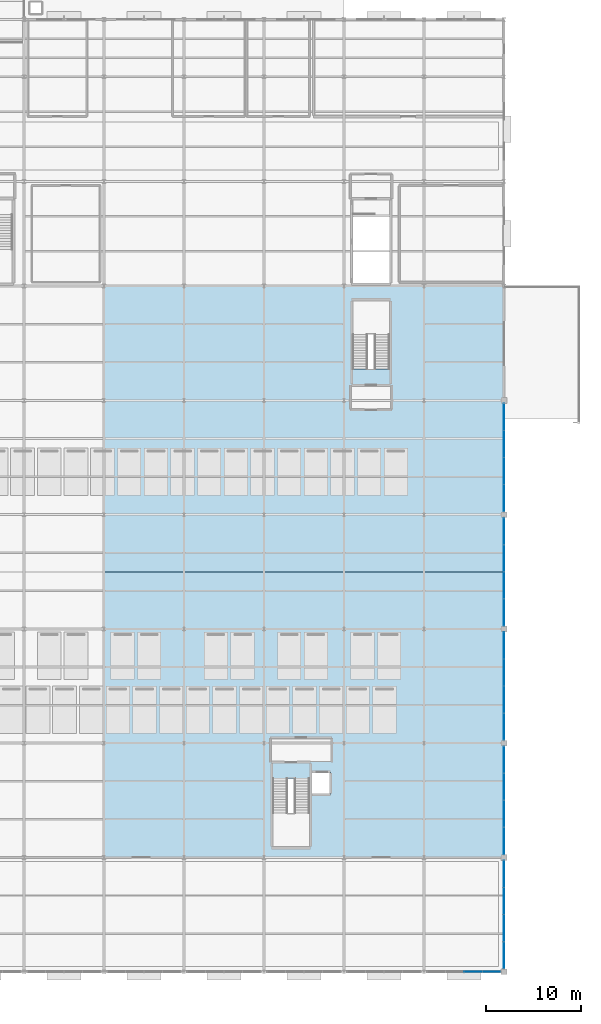
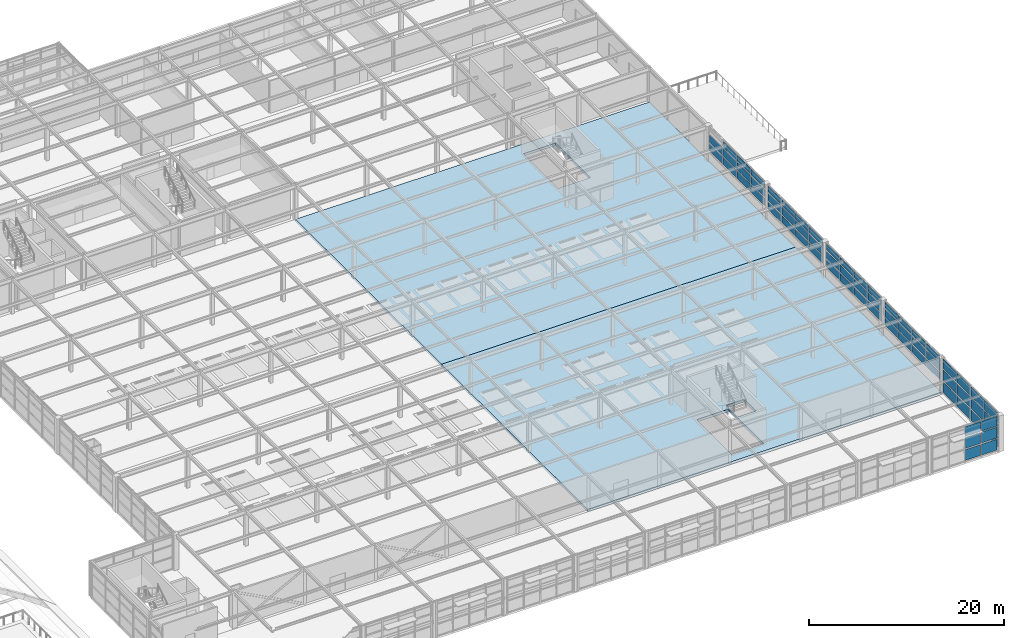
# One storey, part 53 of 82: 65 plates, 2 slabs, 6 elements without a shape of their own.
"""IFC4 building model written with IfcOpenShell, lengths in metres."""

import ifcopenshell
import ifcopenshell.guid

model = None  # the IFC model being written
_history = None  # IfcOwnerHistory: only IFC2X3 demands one
_inside = {}  # id of a spatial element -> (the spatial element, [elements in it])
_under = {}  # id of a project, library or spatial element -> (it, [spatial elements below it])
_declared = {}  # id of a project -> (the project, [libraries it declares])
_typed = {}  # id of a type object -> (the type object, [elements of that type])
_made_of = {}  # id of a material, layer set ... -> (it, [elements and type objects made of it])


def new_model(schema):
    """Start an empty IFC model of exactly this schema.

    Asked for "IFC4X3", IfcOpenShell would pick the latest addendum, in which some entities
    have other attributes; the version numbers below select the first issue.
    IFC2X3 requires an IfcOwnerHistory on every rooted entity: one is made here for all.
    """
    global model, _history
    if schema == "IFC4X3":
        model = ifcopenshell.file(schema_version=(4, 3, 0, 0))
    else:
        model = ifcopenshell.file(schema=schema)
    _inside.clear()
    _under.clear()
    _declared.clear()
    _typed.clear()
    _made_of.clear()
    _history = None
    if model.schema == "IFC2X3":
        org = make("IfcOrganization", Name="unknown")
        user = make(
            "IfcPersonAndOrganization",
            ThePerson=make("IfcPerson", FamilyName="unknown"),
            TheOrganization=org,
        )
        app = make(
            "IfcApplication",
            ApplicationDeveloper=org,
            Version="unknown",
            ApplicationFullName="unknown",
            ApplicationIdentifier="unknown",
        )
        _history = make(
            "IfcOwnerHistory",
            OwningUser=user,
            OwningApplication=app,
            ChangeAction="ADDED",
            CreationDate=0,
        )
    return model


def make(cls, **values):
    """One entity of the class cls with the attributes given. An attribute that is None is left unset."""
    return model.create_entity(
        cls, **{name: value for name, value in values.items() if value is not None}
    )


def rooted(cls, **values):
    """An entity with a GlobalId (a new one), such as an element, a storey or a relation."""
    return make(cls, GlobalId=ifcopenshell.guid.new(), OwnerHistory=_history, **values)


def si_unit(unit_type, name, prefix=None):
    """IfcSIUnit, for example si_unit("LENGTHUNIT", "METRE", prefix="MILLI")."""
    return make("IfcSIUnit", UnitType=unit_type, Prefix=prefix, Name=name)


def assignment(units):
    """IfcUnitAssignment: the units of a project."""
    return None if units is None else make("IfcUnitAssignment", Units=units)


def point(xyz):
    """IfcCartesianPoint."""
    return None if xyz is None else make("IfcCartesianPoint", Coordinates=xyz)


def direction(xyz):
    """IfcDirection."""
    return None if xyz is None else make("IfcDirection", DirectionRatios=xyz)


def frame(location, z_axis=None, x_axis=None):
    """IfcAxis2Placement3D, a coordinate frame: its origin and axes. An axis left out is left unset."""
    return make(
        "IfcAxis2Placement3D",
        Location=point(location),
        Axis=direction(z_axis),
        RefDirection=direction(x_axis),
    )


def frame_2d(location, x_axis=None):
    """IfcAxis2Placement2D, a coordinate frame in the plane: its origin and x axis."""
    return make(
        "IfcAxis2Placement2D", Location=point(location), RefDirection=direction(x_axis)
    )


def origin():
    """The frame at (0, 0, 0) with its axes left unset."""
    return frame((0.0, 0.0, 0.0))


def origin_2d():
    """The frame at (0, 0) in the plane with its x axis left unset."""
    return frame_2d((0.0, 0.0))


def place(relative_to, where):
    """IfcLocalPlacement: puts the frame where relative to a parent placement (None: the world)."""
    return make(
        "IfcLocalPlacement", PlacementRelTo=relative_to, RelativePlacement=where
    )


def context(
    kind, dimensions, precision=None, world=None, true_north=None, identifier=None
):
    """IfcGeometricRepresentationContext, for example the 3D "Model" context."""
    return make(
        "IfcGeometricRepresentationContext",
        ContextIdentifier=identifier,
        ContextType=kind,
        CoordinateSpaceDimension=dimensions,
        Precision=precision,
        WorldCoordinateSystem=world,
        TrueNorth=true_north,
    )


def subcontext(parent, identifier, kind, view, scale=None):
    """IfcGeometricRepresentationSubContext, for example "Body" below "Model"."""
    return make(
        "IfcGeometricRepresentationSubContext",
        ContextIdentifier=identifier,
        ContextType=kind,
        ParentContext=parent,
        TargetScale=scale,
        TargetView=view,
    )


def project(units=None, contexts=None):
    """IfcProject with its units and contexts."""
    return rooted(
        "IfcProject",
        Name="project",
        RepresentationContexts=contexts,
        UnitsInContext=assignment(units),
    )


def spatial(cls, under=None, at=None, **own):
    """A site, building, storey or space (cls), placed at a placement, below another one or the project."""
    s = rooted(cls, ObjectPlacement=at, **own)
    if under is not None:
        _under.setdefault(under.id(), (under, []))[1].append(s)
    return s


def polyline(points):
    """IfcPolyline through the points."""
    return make("IfcPolyline", Points=[point(p) for p in points])


def profile(cls, at=None, kind="AREA", **sizes):
    """A parametric profile (cls). Its sizes go by their IFC names, for example OverallWidth=200.0."""
    return make(cls, ProfileType=kind, Position=at, **sizes)


def rectangle(**sizes):
    """IfcRectangleProfileDef."""
    return profile("IfcRectangleProfileDef", **sizes)


def outline(outer, holes=None, kind="AREA"):
    """IfcArbitraryClosedProfileDef: a profile drawn as a closed curve; with holes, ...WithVoids."""
    if holes is None:
        return make("IfcArbitraryClosedProfileDef", ProfileType=kind, OuterCurve=outer)
    return make(
        "IfcArbitraryProfileDefWithVoids",
        ProfileType=kind,
        OuterCurve=outer,
        InnerCurves=holes,
    )


def extrude(swept, where, along, depth):
    """IfcExtrudedAreaSolid: the profile swept, set in the frame where, extruded along a direction by depth."""
    return make(
        "IfcExtrudedAreaSolid",
        SweptArea=swept,
        Position=where,
        ExtrudedDirection=direction(along),
        Depth=depth,
    )


def shape(context_of_items, identifier, shape_type, items):
    """IfcShapeRepresentation: the items that make up one representation, for example the "Body"."""
    return make(
        "IfcShapeRepresentation",
        ContextOfItems=context_of_items,
        RepresentationIdentifier=identifier,
        RepresentationType=shape_type,
        Items=items,
    )


def material(Name=None, Category=None):
    """IfcMaterial."""
    return make("IfcMaterial", Name=Name, Category=Category)


def layer(
    of_material, thickness, ventilated=None, Name=None, Category=None, Priority=None
):
    """IfcMaterialLayer: one layer of a wall or slab, of a material (None: an air gap)."""
    return make(
        "IfcMaterialLayer",
        Material=of_material,
        LayerThickness=thickness,
        IsVentilated=ventilated,
        Name=Name,
        Category=Category,
        Priority=Priority,
    )


def layer_set(layers, Name=None):
    """IfcMaterialLayerSet."""
    return make("IfcMaterialLayerSet", MaterialLayers=layers, LayerSetName=Name)


def made_of(thing, what):
    """Note that an element or type object is made of a material, layer set ...; save() writes the relation."""
    if what is not None:
        _made_of.setdefault(what.id(), (what, []))[1].append(thing)
    return thing


def type_object(cls, material=None, **own):
    """A type object (cls), such as IfcWallType, which elements share."""
    return made_of(rooted(cls, **own), material)


def element(
    cls,
    number,
    at=None,
    inside=None,
    cuts=None,
    type_object=None,
    material=None,
    context=None,
    identifier="Body",
    shape_type=None,
    held_by="IfcProductDefinitionShape",
    body=None,
    shapes=None,
    **own,
):
    """One element of the class cls, such as IfcWall. Its Tag is "e" and its number.

    at: its placement. inside: the storey or other place that contains it. cuts: it is an
    opening in that element (IfcRelVoidsElement). A single representation is given by context,
    identifier, shape_type and body (its items); several are given by shapes. held_by: the class
    of the entity that holds the representations. save() writes the other relations.
    """
    e = rooted(cls, Tag="e%d" % number, ObjectPlacement=at, **own)
    if body is not None:
        shapes = [shape(context, identifier, shape_type, body)]
    if shapes is not None:
        e.Representation = make(held_by, Representations=shapes)
    if inside is not None:
        _inside.setdefault(inside.id(), (inside, []))[1].append(e)
    if cuts is not None:
        rooted(
            "IfcRelVoidsElement", RelatingBuildingElement=cuts, RelatedOpeningElement=e
        )
    if type_object is not None:
        _typed.setdefault(type_object.id(), (type_object, []))[1].append(e)
    return made_of(e, material)


def aggregate(whole, parts):
    """IfcRelAggregates: a whole, such as a stair, and the parts it consists of."""
    return rooted("IfcRelAggregates", RelatingObject=whole, RelatedObjects=parts)


def save(model, path):
    """Write the relations noted so far, then the file.

    IfcRelAggregates (storeys below a building ...), IfcRelContainedInSpatialStructure (elements
    in a storey), IfcRelDefinesByType, IfcRelAssociatesMaterial and IfcRelDeclares: one each for
    every whole, place, type object, material and project.
    """
    for whole, parts in _under.values():
        aggregate(whole, parts)
    for where, things in _inside.values():
        rooted(
            "IfcRelContainedInSpatialStructure",
            RelatedElements=things,
            RelatingStructure=where,
        )
    for kind, things in _typed.values():
        rooted("IfcRelDefinesByType", RelatedObjects=things, RelatingType=kind)
    for what, things in _made_of.values():
        rooted("IfcRelAssociatesMaterial", RelatedObjects=things, RelatingMaterial=what)
    for by, libraries in _declared.values():
        rooted("IfcRelDeclares", RelatingContext=by, RelatedDefinitions=libraries)
    model.write(path)


model = new_model("IFC4")

# Units and contexts
model_context = context("Model", 3, precision=1e-05, world=origin(), true_north=direction((0.0, 1.0)))
body_context = subcontext(model_context, "Body", "Model", "MODEL_VIEW")
ifc_project = project(units=[si_unit("LENGTHUNIT", "METRE"), si_unit("AREAUNIT", "SQUARE_METRE"), si_unit("VOLUMEUNIT", "CUBIC_METRE"), si_unit("PLANEANGLEUNIT", "RADIAN"), si_unit("MASSUNIT", "GRAM", prefix="KILO")], contexts=[model_context])

# Site, building, storey
site_placement = place(None, origin())
site = spatial("IfcSite", under=ifc_project, at=site_placement, CompositionType="ELEMENT")
building_placement = place(site_placement, origin())
building = spatial("IfcBuilding", under=site, at=building_placement, Name="Sitalva Quay Ferry Terminal", CompositionType="ELEMENT")
storey_placement = place(building_placement, frame((0.0, 0.0, 5.39990234375)))
storey = spatial("IfcBuildingStorey", under=building, at=storey_placement, Name="L02", CompositionType="ELEMENT", Elevation=5.39990234375)

# Curtain wall, plates
ifc_material_1 = material(Name="Anodised Aluminium & Low-E Glazing", Category="aluminium")
ifc_layer_1 = layer(ifc_material_1, 0.159912109375)
ifc_layer_set_1 = layer_set([ifc_layer_1], Name="Anodised Aluminium & Low-E Glazing")
curtain_wall_type_1 = type_object("IfcCurtainWallType", Name="CW_Concourse_Unitised", PredefinedType="USERDEFINED", material=ifc_layer_set_1)
curtain_wall_1_placement = place(storey_placement, origin())
curtain_wall_1 = element("IfcCurtainWall", 1, at=curtain_wall_1_placement, inside=storey, type_object=curtain_wall_type_1, Name="L02 waterfront boarding concourse glazing (CW-L02-073)", ObjectType="CURTAIN_WALL", PredefinedType="USERDEFINED")
ifc_material_2 = material(Name="Acoustic Laminated Marine Glazing", Category="glass")
ifc_layer_2 = layer(ifc_material_2, 0.033935546875)
ifc_layer_set_2 = layer_set([ifc_layer_2], Name="Acoustic Laminated Marine Glazing")
plate_type_1 = type_object("IfcPlateType", Name="Panel_Marine_IGU_34", PredefinedType="CURTAIN_PANEL", material=ifc_layer_set_2)
plate_1_placement = place(storey_placement, frame((164.77001953125, 6.0, 1.66357421875), z_axis=(0.0, 0.0, 1.0), x_axis=(1.0, 0.0, 0.0)))
plate_1 = element("IfcPlate", 2, at=plate_1_placement, type_object=plate_type_1, Name="CW-L02-073-P2-1", PredefinedType="CURTAIN_PANEL", context=body_context, shape_type="SweptSolid", body=[
    extrude(rectangle(XDim=1.85498046875, YDim=0.033935546875, at=origin_2d()), origin(), (0.0, 0.0, 1.0), 1.36328125),
])
plate_2_placement = place(storey_placement, frame((164.77001953125, 6.0, 3.1767578125), z_axis=(0.0, 0.0, 1.0), x_axis=(1.0, 0.0, 0.0)))
plate_2 = element("IfcPlate", 3, at=plate_2_placement, type_object=plate_type_1, Name="CW-L02-073-P2-2", PredefinedType="CURTAIN_PANEL", context=body_context, shape_type="SweptSolid", body=[
    extrude(rectangle(XDim=1.85498046875, YDim=0.033935546875, at=origin_2d()), origin(), (0.0, 0.0, 1.0), 1.21337890625),
])
plate_3_placement = place(storey_placement, frame((166.7099609375, 6.0, 1.66357421875), z_axis=(0.0, 0.0, 1.0), x_axis=(1.0, 0.0, 0.0)))
plate_3 = element("IfcPlate", 4, at=plate_3_placement, type_object=plate_type_1, Name="CW-L02-073-P3-1", PredefinedType="CURTAIN_PANEL", context=body_context, shape_type="SweptSolid", body=[
    extrude(rectangle(XDim=1.85498046875, YDim=0.033935546875, at=origin_2d()), origin(), (0.0, 0.0, 1.0), 1.36328125),
])
plate_4_placement = place(storey_placement, frame((166.7099609375, 6.0, 3.1767578125), z_axis=(0.0, 0.0, 1.0), x_axis=(1.0, 0.0, 0.0)))
plate_4 = element("IfcPlate", 5, at=plate_4_placement, type_object=plate_type_1, Name="CW-L02-073-P3-2", PredefinedType="CURTAIN_PANEL", context=body_context, shape_type="SweptSolid", body=[
    extrude(rectangle(XDim=1.85498046875, YDim=0.033935546875, at=origin_2d()), origin(), (0.0, 0.0, 1.0), 1.21337890625),
])

curtain_wall_2_placement = place(storey_placement, origin())
curtain_wall_2 = element("IfcCurtainWall", 6, at=curtain_wall_2_placement, inside=storey, type_object=curtain_wall_type_1, Name="L02 SE concourse east glazing (CW-L02-092)", ObjectType="CURTAIN_WALL", PredefinedType="USERDEFINED")
plate_5_placement = place(storey_placement, frame((168.0, 7.739990234375, 0.150146484375), z_axis=(0.0, 0.0, 1.0), x_axis=(0.0, 1.0, 0.0)))
plate_5 = element("IfcPlate", 7, at=plate_5_placement, type_object=plate_type_1, Name="CW-L02-092-P0-0", PredefinedType="CURTAIN_PANEL", context=body_context, shape_type="SweptSolid", body=[
    extrude(rectangle(XDim=2.7548828125, YDim=0.033935546875, at=origin_2d()), origin(), (0.0, 0.0, 1.0), 1.36328125),
])
plate_6_placement = place(storey_placement, frame((168.0, 7.739990234375, 1.66357421875), z_axis=(0.0, 0.0, 1.0), x_axis=(0.0, 1.0, 0.0)))
plate_6 = element("IfcPlate", 8, at=plate_6_placement, type_object=plate_type_1, Name="CW-L02-092-P0-1", PredefinedType="CURTAIN_PANEL", context=body_context, shape_type="SweptSolid", body=[
    extrude(rectangle(XDim=2.7548828125, YDim=0.033935546875, at=origin_2d()), origin(), (0.0, 0.0, 1.0), 1.36328125),
])
plate_7_placement = place(storey_placement, frame((168.0, 7.739990234375, 3.1767578125), z_axis=(0.0, 0.0, 1.0), x_axis=(0.0, 1.0, 0.0)))
plate_7 = element("IfcPlate", 9, at=plate_7_placement, type_object=plate_type_1, Name="CW-L02-092-P0-2", PredefinedType="CURTAIN_PANEL", context=body_context, shape_type="SweptSolid", body=[
    extrude(rectangle(XDim=2.7548828125, YDim=0.033935546875, at=origin_2d()), origin(), (0.0, 0.0, 1.0), 1.21337890625),
])
plate_8_placement = place(storey_placement, frame((168.0, 10.580078125, 0.150146484375), z_axis=(0.0, 0.0, 1.0), x_axis=(0.0, 1.0, 0.0)))
plate_8 = element("IfcPlate", 10, at=plate_8_placement, type_object=plate_type_1, Name="CW-L02-092-P1-0", PredefinedType="CURTAIN_PANEL", context=body_context, shape_type="SweptSolid", body=[
    extrude(rectangle(XDim=2.7548828125, YDim=0.033935546875, at=origin_2d()), origin(), (0.0, 0.0, 1.0), 1.36328125),
])
plate_9_placement = place(storey_placement, frame((168.0, 10.580078125, 1.66357421875), z_axis=(0.0, 0.0, 1.0), x_axis=(0.0, 1.0, 0.0)))
plate_9 = element("IfcPlate", 11, at=plate_9_placement, type_object=plate_type_1, Name="CW-L02-092-P1-1", PredefinedType="CURTAIN_PANEL", context=body_context, shape_type="SweptSolid", body=[
    extrude(rectangle(XDim=2.7548828125, YDim=0.033935546875, at=origin_2d()), origin(), (0.0, 0.0, 1.0), 1.36328125),
])
plate_10_placement = place(storey_placement, frame((168.0, 10.580078125, 3.1767578125), z_axis=(0.0, 0.0, 1.0), x_axis=(0.0, 1.0, 0.0)))
plate_10 = element("IfcPlate", 12, at=plate_10_placement, type_object=plate_type_1, Name="CW-L02-092-P1-2", PredefinedType="CURTAIN_PANEL", context=body_context, shape_type="SweptSolid", body=[
    extrude(rectangle(XDim=2.7548828125, YDim=0.033935546875, at=origin_2d()), origin(), (0.0, 0.0, 1.0), 1.21337890625),
])
plate_11_placement = place(storey_placement, frame((168.0, 13.419921875, 0.150146484375), z_axis=(0.0, 0.0, 1.0), x_axis=(0.0, 1.0, 0.0)))
plate_11 = element("IfcPlate", 13, at=plate_11_placement, type_object=plate_type_1, Name="CW-L02-092-P2-0", PredefinedType="CURTAIN_PANEL", context=body_context, shape_type="SweptSolid", body=[
    extrude(rectangle(XDim=2.7548828125, YDim=0.033935546875, at=origin_2d()), origin(), (0.0, 0.0, 1.0), 1.36328125),
])
plate_12_placement = place(storey_placement, frame((168.0, 13.419921875, 1.66357421875), z_axis=(0.0, 0.0, 1.0), x_axis=(0.0, 1.0, 0.0)))
plate_12 = element("IfcPlate", 14, at=plate_12_placement, type_object=plate_type_1, Name="CW-L02-092-P2-1", PredefinedType="CURTAIN_PANEL", context=body_context, shape_type="SweptSolid", body=[
    extrude(rectangle(XDim=2.7548828125, YDim=0.033935546875, at=origin_2d()), origin(), (0.0, 0.0, 1.0), 1.36328125),
])
plate_13_placement = place(storey_placement, frame((168.0, 13.419921875, 3.1767578125), z_axis=(0.0, 0.0, 1.0), x_axis=(0.0, 1.0, 0.0)))
plate_13 = element("IfcPlate", 15, at=plate_13_placement, type_object=plate_type_1, Name="CW-L02-092-P2-2", PredefinedType="CURTAIN_PANEL", context=body_context, shape_type="SweptSolid", body=[
    extrude(rectangle(XDim=2.7548828125, YDim=0.033935546875, at=origin_2d()), origin(), (0.0, 0.0, 1.0), 1.21337890625),
])
plate_14_placement = place(storey_placement, frame((168.0, 16.260009765625, 0.150146484375), z_axis=(0.0, 0.0, 1.0), x_axis=(0.0, 1.0, 0.0)))
plate_14 = element("IfcPlate", 16, at=plate_14_placement, type_object=plate_type_1, Name="CW-L02-092-P3-0", PredefinedType="CURTAIN_PANEL", context=body_context, shape_type="SweptSolid", body=[
    extrude(rectangle(XDim=2.7548828125, YDim=0.033935546875, at=origin_2d()), origin(), (0.0, 0.0, 1.0), 1.36328125),
])
plate_15_placement = place(storey_placement, frame((168.0, 16.260009765625, 1.66357421875), z_axis=(0.0, 0.0, 1.0), x_axis=(0.0, 1.0, 0.0)))
plate_15 = element("IfcPlate", 17, at=plate_15_placement, type_object=plate_type_1, Name="CW-L02-092-P3-1", PredefinedType="CURTAIN_PANEL", context=body_context, shape_type="SweptSolid", body=[
    extrude(rectangle(XDim=2.7548828125, YDim=0.033935546875, at=origin_2d()), origin(), (0.0, 0.0, 1.0), 1.36328125),
])
plate_16_placement = place(storey_placement, frame((168.0, 16.260009765625, 3.1767578125), z_axis=(0.0, 0.0, 1.0), x_axis=(0.0, 1.0, 0.0)))
plate_16 = element("IfcPlate", 18, at=plate_16_placement, type_object=plate_type_1, Name="CW-L02-092-P3-2", PredefinedType="CURTAIN_PANEL", context=body_context, shape_type="SweptSolid", body=[
    extrude(rectangle(XDim=2.7548828125, YDim=0.033935546875, at=origin_2d()), origin(), (0.0, 0.0, 1.0), 1.21337890625),
])
aggregate(curtain_wall_2, [plate_5, plate_6, plate_7, plate_8, plate_9, plate_10, plate_11, plate_12, plate_13, plate_14, plate_15, plate_16])

# Plate
ifc_material_3 = material(Name="Insulated Spandrel Cassette", Category="aluminium")
ifc_layer_3 = layer(ifc_material_3, 0.0400390625)
ifc_layer_set_3 = layer_set([ifc_layer_3], Name="Insulated Spandrel Cassette")
plate_type_2 = type_object("IfcPlateType", Name="Panel_Spandrel_Alu_40", PredefinedType="CURTAIN_PANEL", material=ifc_layer_set_3)
plate_17_placement = place(storey_placement, frame((164.77001953125, 6.0, 0.150146484375), z_axis=(0.0, 0.0, 1.0), x_axis=(1.0, 0.0, 0.0)))
plate_17 = element("IfcPlate", 19, at=plate_17_placement, type_object=plate_type_2, Name="CW-L02-073-P2-0", PredefinedType="CURTAIN_PANEL", context=body_context, shape_type="SweptSolid", body=[
    extrude(rectangle(XDim=1.85498046875, YDim=0.0400390625, at=origin_2d()), origin(), (0.0, 0.0, 1.0), 1.36328125),
])

plate_18_placement = place(storey_placement, frame((166.7099609375, 6.0, 0.150146484375), z_axis=(0.0, 0.0, 1.0), x_axis=(1.0, 0.0, 0.0)))
plate_18 = element("IfcPlate", 20, at=plate_18_placement, type_object=plate_type_2, Name="CW-L02-073-P3-0", PredefinedType="CURTAIN_PANEL", context=body_context, shape_type="SweptSolid", body=[
    extrude(rectangle(XDim=1.85498046875, YDim=0.0400390625, at=origin_2d()), origin(), (0.0, 0.0, 1.0), 1.36328125),
])

aggregate(curtain_wall_1, [plate_17, plate_1, plate_2, plate_18, plate_3, plate_4])

# Curtain wall, plates
ifc_material_4 = material(Name="Anodised Aluminium & Low-E Glazing", Category="aluminium")
ifc_layer_4 = layer(ifc_material_4, 0.159912109375)
ifc_layer_set_4 = layer_set([ifc_layer_4], Name="Anodised Aluminium & Low-E Glazing")
curtain_wall_type_2 = type_object("IfcCurtainWallType", Name="CW_Coastal_Louvred", PredefinedType="USERDEFINED", material=ifc_layer_set_4)
curtain_wall_3_placement = place(storey_placement, origin())
curtain_wall_3 = element("IfcCurtainWall", 21, at=curtain_wall_3_placement, inside=storey, type_object=curtain_wall_type_2, Name="L02 vehicle deck east ventilation screen (CW-L02-093)", ObjectType="CURTAIN_WALL", PredefinedType="USERDEFINED")
plate_19_placement = place(storey_placement, frame((168.0, 19.739990234375, 1.35009765625), z_axis=(0.0, 0.0, 1.0), x_axis=(0.0, 1.0, 0.0)))
plate_19 = element("IfcPlate", 22, at=plate_19_placement, type_object=plate_type_2, Name="CW-L02-093-P0-0", PredefinedType="CURTAIN_PANEL", context=body_context, shape_type="SweptSolid", body=[
    extrude(rectangle(XDim=2.760009765625, YDim=0.0400390625, at=origin_2d()), origin(), (0.0, 0.0, 1.0), 0.933349609375),
])
plate_20_placement = place(storey_placement, frame((168.0, 19.739990234375, 2.43359375), z_axis=(0.0, 0.0, 1.0), x_axis=(0.0, 1.0, 0.0)))
plate_20 = element("IfcPlate", 23, at=plate_20_placement, type_object=plate_type_2, Name="CW-L02-093-P0-1", PredefinedType="CURTAIN_PANEL", context=body_context, shape_type="SweptSolid", body=[
    extrude(rectangle(XDim=2.760009765625, YDim=0.0400390625, at=origin_2d()), origin(), (0.0, 0.0, 1.0), 0.933349609375),
])
plate_21_placement = place(storey_placement, frame((168.0, 19.739990234375, 3.5166015625), z_axis=(0.0, 0.0, 1.0), x_axis=(0.0, 1.0, 0.0)))
plate_21 = element("IfcPlate", 24, at=plate_21_placement, type_object=plate_type_2, Name="CW-L02-093-P0-2", PredefinedType="CURTAIN_PANEL", context=body_context, shape_type="SweptSolid", body=[
    extrude(rectangle(XDim=2.760009765625, YDim=0.0400390625, at=origin_2d()), origin(), (0.0, 0.0, 1.0), 0.783447265625),
])
plate_22_placement = place(storey_placement, frame((168.0, 22.580078125, 1.35009765625), z_axis=(0.0, 0.0, 1.0), x_axis=(0.0, 1.0, 0.0)))
plate_22 = element("IfcPlate", 25, at=plate_22_placement, type_object=plate_type_2, Name="CW-L02-093-P1-0", PredefinedType="CURTAIN_PANEL", context=body_context, shape_type="SweptSolid", body=[
    extrude(rectangle(XDim=2.760009765625, YDim=0.0400390625, at=origin_2d()), origin(), (0.0, 0.0, 1.0), 0.933349609375),
])
plate_23_placement = place(storey_placement, frame((168.0, 22.580078125, 2.43359375), z_axis=(0.0, 0.0, 1.0), x_axis=(0.0, 1.0, 0.0)))
plate_23 = element("IfcPlate", 26, at=plate_23_placement, type_object=plate_type_2, Name="CW-L02-093-P1-1", PredefinedType="CURTAIN_PANEL", context=body_context, shape_type="SweptSolid", body=[
    extrude(rectangle(XDim=2.760009765625, YDim=0.0400390625, at=origin_2d()), origin(), (0.0, 0.0, 1.0), 0.933349609375),
])
plate_24_placement = place(storey_placement, frame((168.0, 22.580078125, 3.5166015625), z_axis=(0.0, 0.0, 1.0), x_axis=(0.0, 1.0, 0.0)))
plate_24 = element("IfcPlate", 27, at=plate_24_placement, type_object=plate_type_2, Name="CW-L02-093-P1-2", PredefinedType="CURTAIN_PANEL", context=body_context, shape_type="SweptSolid", body=[
    extrude(rectangle(XDim=2.760009765625, YDim=0.0400390625, at=origin_2d()), origin(), (0.0, 0.0, 1.0), 0.783447265625),
])
plate_25_placement = place(storey_placement, frame((168.0, 25.419921875, 1.35009765625), z_axis=(0.0, 0.0, 1.0), x_axis=(0.0, 1.0, 0.0)))
plate_25 = element("IfcPlate", 28, at=plate_25_placement, type_object=plate_type_2, Name="CW-L02-093-P2-0", PredefinedType="CURTAIN_PANEL", context=body_context, shape_type="SweptSolid", body=[
    extrude(rectangle(XDim=2.760009765625, YDim=0.0400390625, at=origin_2d()), origin(), (0.0, 0.0, 1.0), 0.933349609375),
])
plate_26_placement = place(storey_placement, frame((168.0, 25.419921875, 2.43359375), z_axis=(0.0, 0.0, 1.0), x_axis=(0.0, 1.0, 0.0)))
plate_26 = element("IfcPlate", 29, at=plate_26_placement, type_object=plate_type_2, Name="CW-L02-093-P2-1", PredefinedType="CURTAIN_PANEL", context=body_context, shape_type="SweptSolid", body=[
    extrude(rectangle(XDim=2.760009765625, YDim=0.0400390625, at=origin_2d()), origin(), (0.0, 0.0, 1.0), 0.933349609375),
])
plate_27_placement = place(storey_placement, frame((168.0, 25.419921875, 3.5166015625), z_axis=(0.0, 0.0, 1.0), x_axis=(0.0, 1.0, 0.0)))
plate_27 = element("IfcPlate", 30, at=plate_27_placement, type_object=plate_type_2, Name="CW-L02-093-P2-2", PredefinedType="CURTAIN_PANEL", context=body_context, shape_type="SweptSolid", body=[
    extrude(rectangle(XDim=2.760009765625, YDim=0.0400390625, at=origin_2d()), origin(), (0.0, 0.0, 1.0), 0.783447265625),
])
plate_28_placement = place(storey_placement, frame((168.0, 28.260009765625, 1.35009765625), z_axis=(0.0, 0.0, 1.0), x_axis=(0.0, 1.0, 0.0)))
plate_28 = element("IfcPlate", 31, at=plate_28_placement, type_object=plate_type_2, Name="CW-L02-093-P3-0", PredefinedType="CURTAIN_PANEL", context=body_context, shape_type="SweptSolid", body=[
    extrude(rectangle(XDim=2.760009765625, YDim=0.0400390625, at=origin_2d()), origin(), (0.0, 0.0, 1.0), 0.933349609375),
])
plate_29_placement = place(storey_placement, frame((168.0, 28.260009765625, 2.43359375), z_axis=(0.0, 0.0, 1.0), x_axis=(0.0, 1.0, 0.0)))
plate_29 = element("IfcPlate", 32, at=plate_29_placement, type_object=plate_type_2, Name="CW-L02-093-P3-1", PredefinedType="CURTAIN_PANEL", context=body_context, shape_type="SweptSolid", body=[
    extrude(rectangle(XDim=2.760009765625, YDim=0.0400390625, at=origin_2d()), origin(), (0.0, 0.0, 1.0), 0.933349609375),
])
plate_30_placement = place(storey_placement, frame((168.0, 28.260009765625, 3.5166015625), z_axis=(0.0, 0.0, 1.0), x_axis=(0.0, 1.0, 0.0)))
plate_30 = element("IfcPlate", 33, at=plate_30_placement, type_object=plate_type_2, Name="CW-L02-093-P3-2", PredefinedType="CURTAIN_PANEL", context=body_context, shape_type="SweptSolid", body=[
    extrude(rectangle(XDim=2.760009765625, YDim=0.0400390625, at=origin_2d()), origin(), (0.0, 0.0, 1.0), 0.783447265625),
])
aggregate(curtain_wall_3, [plate_19, plate_20, plate_21, plate_22, plate_23, plate_24, plate_25, plate_26, plate_27, plate_28, plate_29, plate_30])

curtain_wall_4_placement = place(storey_placement, origin())
curtain_wall_4 = element("IfcCurtainWall", 34, at=curtain_wall_4_placement, inside=storey, type_object=curtain_wall_type_2, Name="L02 vehicle deck east ventilation screen (CW-L02-095)", ObjectType="CURTAIN_WALL", PredefinedType="USERDEFINED")
plate_31_placement = place(storey_placement, frame((168.0, 31.739990234375, 1.35009765625), z_axis=(0.0, 0.0, 1.0), x_axis=(0.0, 1.0, 0.0)))
plate_31 = element("IfcPlate", 35, at=plate_31_placement, type_object=plate_type_2, Name="CW-L02-095-P0-0", PredefinedType="CURTAIN_PANEL", context=body_context, shape_type="SweptSolid", body=[
    extrude(rectangle(XDim=2.760009765625, YDim=0.0400390625, at=origin_2d()), origin(), (0.0, 0.0, 1.0), 0.933349609375),
])
plate_32_placement = place(storey_placement, frame((168.0, 31.739990234375, 2.43359375), z_axis=(0.0, 0.0, 1.0), x_axis=(0.0, 1.0, 0.0)))
plate_32 = element("IfcPlate", 36, at=plate_32_placement, type_object=plate_type_2, Name="CW-L02-095-P0-1", PredefinedType="CURTAIN_PANEL", context=body_context, shape_type="SweptSolid", body=[
    extrude(rectangle(XDim=2.760009765625, YDim=0.0400390625, at=origin_2d()), origin(), (0.0, 0.0, 1.0), 0.933349609375),
])
plate_33_placement = place(storey_placement, frame((168.0, 31.739990234375, 3.5166015625), z_axis=(0.0, 0.0, 1.0), x_axis=(0.0, 1.0, 0.0)))
plate_33 = element("IfcPlate", 37, at=plate_33_placement, type_object=plate_type_2, Name="CW-L02-095-P0-2", PredefinedType="CURTAIN_PANEL", context=body_context, shape_type="SweptSolid", body=[
    extrude(rectangle(XDim=2.760009765625, YDim=0.0400390625, at=origin_2d()), origin(), (0.0, 0.0, 1.0), 0.783447265625),
])
plate_34_placement = place(storey_placement, frame((168.0, 34.580078125, 1.35009765625), z_axis=(0.0, 0.0, 1.0), x_axis=(0.0, 1.0, 0.0)))
plate_34 = element("IfcPlate", 38, at=plate_34_placement, type_object=plate_type_2, Name="CW-L02-095-P1-0", PredefinedType="CURTAIN_PANEL", context=body_context, shape_type="SweptSolid", body=[
    extrude(rectangle(XDim=2.760009765625, YDim=0.0400390625, at=origin_2d()), origin(), (0.0, 0.0, 1.0), 0.933349609375),
])
plate_35_placement = place(storey_placement, frame((168.0, 34.580078125, 2.43359375), z_axis=(0.0, 0.0, 1.0), x_axis=(0.0, 1.0, 0.0)))
plate_35 = element("IfcPlate", 39, at=plate_35_placement, type_object=plate_type_2, Name="CW-L02-095-P1-1", PredefinedType="CURTAIN_PANEL", context=body_context, shape_type="SweptSolid", body=[
    extrude(rectangle(XDim=2.760009765625, YDim=0.0400390625, at=origin_2d()), origin(), (0.0, 0.0, 1.0), 0.933349609375),
])
plate_36_placement = place(storey_placement, frame((168.0, 34.580078125, 3.5166015625), z_axis=(0.0, 0.0, 1.0), x_axis=(0.0, 1.0, 0.0)))
plate_36 = element("IfcPlate", 40, at=plate_36_placement, type_object=plate_type_2, Name="CW-L02-095-P1-2", PredefinedType="CURTAIN_PANEL", context=body_context, shape_type="SweptSolid", body=[
    extrude(rectangle(XDim=2.760009765625, YDim=0.0400390625, at=origin_2d()), origin(), (0.0, 0.0, 1.0), 0.783447265625),
])
plate_37_placement = place(storey_placement, frame((168.0, 37.419921875, 1.35009765625), z_axis=(0.0, 0.0, 1.0), x_axis=(0.0, 1.0, 0.0)))
plate_37 = element("IfcPlate", 41, at=plate_37_placement, type_object=plate_type_2, Name="CW-L02-095-P2-0", PredefinedType="CURTAIN_PANEL", context=body_context, shape_type="SweptSolid", body=[
    extrude(rectangle(XDim=2.760009765625, YDim=0.0400390625, at=origin_2d()), origin(), (0.0, 0.0, 1.0), 0.933349609375),
])
plate_38_placement = place(storey_placement, frame((168.0, 37.419921875, 2.43359375), z_axis=(0.0, 0.0, 1.0), x_axis=(0.0, 1.0, 0.0)))
plate_38 = element("IfcPlate", 42, at=plate_38_placement, type_object=plate_type_2, Name="CW-L02-095-P2-1", PredefinedType="CURTAIN_PANEL", context=body_context, shape_type="SweptSolid", body=[
    extrude(rectangle(XDim=2.760009765625, YDim=0.0400390625, at=origin_2d()), origin(), (0.0, 0.0, 1.0), 0.933349609375),
])
plate_39_placement = place(storey_placement, frame((168.0, 37.419921875, 3.5166015625), z_axis=(0.0, 0.0, 1.0), x_axis=(0.0, 1.0, 0.0)))
plate_39 = element("IfcPlate", 43, at=plate_39_placement, type_object=plate_type_2, Name="CW-L02-095-P2-2", PredefinedType="CURTAIN_PANEL", context=body_context, shape_type="SweptSolid", body=[
    extrude(rectangle(XDim=2.760009765625, YDim=0.0400390625, at=origin_2d()), origin(), (0.0, 0.0, 1.0), 0.783447265625),
])
plate_40_placement = place(storey_placement, frame((168.0, 40.260009765625, 1.35009765625), z_axis=(0.0, 0.0, 1.0), x_axis=(0.0, 1.0, 0.0)))
plate_40 = element("IfcPlate", 44, at=plate_40_placement, type_object=plate_type_2, Name="CW-L02-095-P3-0", PredefinedType="CURTAIN_PANEL", context=body_context, shape_type="SweptSolid", body=[
    extrude(rectangle(XDim=2.760009765625, YDim=0.0400390625, at=origin_2d()), origin(), (0.0, 0.0, 1.0), 0.933349609375),
])
plate_41_placement = place(storey_placement, frame((168.0, 40.260009765625, 2.43359375), z_axis=(0.0, 0.0, 1.0), x_axis=(0.0, 1.0, 0.0)))
plate_41 = element("IfcPlate", 45, at=plate_41_placement, type_object=plate_type_2, Name="CW-L02-095-P3-1", PredefinedType="CURTAIN_PANEL", context=body_context, shape_type="SweptSolid", body=[
    extrude(rectangle(XDim=2.760009765625, YDim=0.0400390625, at=origin_2d()), origin(), (0.0, 0.0, 1.0), 0.933349609375),
])
plate_42_placement = place(storey_placement, frame((168.0, 40.260009765625, 3.5166015625), z_axis=(0.0, 0.0, 1.0), x_axis=(0.0, 1.0, 0.0)))
plate_42 = element("IfcPlate", 46, at=plate_42_placement, type_object=plate_type_2, Name="CW-L02-095-P3-2", PredefinedType="CURTAIN_PANEL", context=body_context, shape_type="SweptSolid", body=[
    extrude(rectangle(XDim=2.760009765625, YDim=0.0400390625, at=origin_2d()), origin(), (0.0, 0.0, 1.0), 0.783447265625),
])
aggregate(curtain_wall_4, [plate_31, plate_32, plate_33, plate_34, plate_35, plate_36, plate_37, plate_38, plate_39, plate_40, plate_41, plate_42])

curtain_wall_5_placement = place(storey_placement, origin())
curtain_wall_5 = element("IfcCurtainWall", 47, at=curtain_wall_5_placement, inside=storey, type_object=curtain_wall_type_2, Name="L02 vehicle deck east ventilation screen (CW-L02-097)", ObjectType="CURTAIN_WALL", PredefinedType="USERDEFINED")
plate_43_placement = place(storey_placement, frame((168.0, 43.739990234375, 1.35009765625), z_axis=(0.0, 0.0, 1.0), x_axis=(0.0, 1.0, 0.0)))
plate_43 = element("IfcPlate", 48, at=plate_43_placement, type_object=plate_type_2, Name="CW-L02-097-P0-0", PredefinedType="CURTAIN_PANEL", context=body_context, shape_type="SweptSolid", body=[
    extrude(rectangle(XDim=2.760009765625, YDim=0.0400390625, at=origin_2d()), origin(), (0.0, 0.0, 1.0), 0.933349609375),
])
plate_44_placement = place(storey_placement, frame((168.0, 43.739990234375, 2.43359375), z_axis=(0.0, 0.0, 1.0), x_axis=(0.0, 1.0, 0.0)))
plate_44 = element("IfcPlate", 49, at=plate_44_placement, type_object=plate_type_2, Name="CW-L02-097-P0-1", PredefinedType="CURTAIN_PANEL", context=body_context, shape_type="SweptSolid", body=[
    extrude(rectangle(XDim=2.760009765625, YDim=0.0400390625, at=origin_2d()), origin(), (0.0, 0.0, 1.0), 0.933349609375),
])
plate_45_placement = place(storey_placement, frame((168.0, 43.739990234375, 3.5166015625), z_axis=(0.0, 0.0, 1.0), x_axis=(0.0, 1.0, 0.0)))
plate_45 = element("IfcPlate", 50, at=plate_45_placement, type_object=plate_type_2, Name="CW-L02-097-P0-2", PredefinedType="CURTAIN_PANEL", context=body_context, shape_type="SweptSolid", body=[
    extrude(rectangle(XDim=2.760009765625, YDim=0.0400390625, at=origin_2d()), origin(), (0.0, 0.0, 1.0), 0.783447265625),
])
plate_46_placement = place(storey_placement, frame((168.0, 46.580078125, 1.35009765625), z_axis=(0.0, 0.0, 1.0), x_axis=(0.0, 1.0, 0.0)))
plate_46 = element("IfcPlate", 51, at=plate_46_placement, type_object=plate_type_2, Name="CW-L02-097-P1-0", PredefinedType="CURTAIN_PANEL", context=body_context, shape_type="SweptSolid", body=[
    extrude(rectangle(XDim=2.760009765625, YDim=0.0400390625, at=origin_2d()), origin(), (0.0, 0.0, 1.0), 0.933349609375),
])
plate_47_placement = place(storey_placement, frame((168.0, 46.580078125, 2.43359375), z_axis=(0.0, 0.0, 1.0), x_axis=(0.0, 1.0, 0.0)))
plate_47 = element("IfcPlate", 52, at=plate_47_placement, type_object=plate_type_2, Name="CW-L02-097-P1-1", PredefinedType="CURTAIN_PANEL", context=body_context, shape_type="SweptSolid", body=[
    extrude(rectangle(XDim=2.760009765625, YDim=0.0400390625, at=origin_2d()), origin(), (0.0, 0.0, 1.0), 0.933349609375),
])
plate_48_placement = place(storey_placement, frame((168.0, 46.580078125, 3.5166015625), z_axis=(0.0, 0.0, 1.0), x_axis=(0.0, 1.0, 0.0)))
plate_48 = element("IfcPlate", 53, at=plate_48_placement, type_object=plate_type_2, Name="CW-L02-097-P1-2", PredefinedType="CURTAIN_PANEL", context=body_context, shape_type="SweptSolid", body=[
    extrude(rectangle(XDim=2.760009765625, YDim=0.0400390625, at=origin_2d()), origin(), (0.0, 0.0, 1.0), 0.783447265625),
])
plate_49_placement = place(storey_placement, frame((168.0, 49.419921875, 1.35009765625), z_axis=(0.0, 0.0, 1.0), x_axis=(0.0, 1.0, 0.0)))
plate_49 = element("IfcPlate", 54, at=plate_49_placement, type_object=plate_type_2, Name="CW-L02-097-P2-0", PredefinedType="CURTAIN_PANEL", context=body_context, shape_type="SweptSolid", body=[
    extrude(rectangle(XDim=2.760009765625, YDim=0.0400390625, at=origin_2d()), origin(), (0.0, 0.0, 1.0), 0.933349609375),
])
plate_50_placement = place(storey_placement, frame((168.0, 49.419921875, 2.43359375), z_axis=(0.0, 0.0, 1.0), x_axis=(0.0, 1.0, 0.0)))
plate_50 = element("IfcPlate", 55, at=plate_50_placement, type_object=plate_type_2, Name="CW-L02-097-P2-1", PredefinedType="CURTAIN_PANEL", context=body_context, shape_type="SweptSolid", body=[
    extrude(rectangle(XDim=2.760009765625, YDim=0.0400390625, at=origin_2d()), origin(), (0.0, 0.0, 1.0), 0.933349609375),
])
plate_51_placement = place(storey_placement, frame((168.0, 49.419921875, 3.5166015625), z_axis=(0.0, 0.0, 1.0), x_axis=(0.0, 1.0, 0.0)))
plate_51 = element("IfcPlate", 56, at=plate_51_placement, type_object=plate_type_2, Name="CW-L02-097-P2-2", PredefinedType="CURTAIN_PANEL", context=body_context, shape_type="SweptSolid", body=[
    extrude(rectangle(XDim=2.760009765625, YDim=0.0400390625, at=origin_2d()), origin(), (0.0, 0.0, 1.0), 0.783447265625),
])
plate_52_placement = place(storey_placement, frame((168.0, 52.260009765625, 1.35009765625), z_axis=(0.0, 0.0, 1.0), x_axis=(0.0, 1.0, 0.0)))
plate_52 = element("IfcPlate", 57, at=plate_52_placement, type_object=plate_type_2, Name="CW-L02-097-P3-0", PredefinedType="CURTAIN_PANEL", context=body_context, shape_type="SweptSolid", body=[
    extrude(rectangle(XDim=2.760009765625, YDim=0.0400390625, at=origin_2d()), origin(), (0.0, 0.0, 1.0), 0.933349609375),
])
plate_53_placement = place(storey_placement, frame((168.0, 52.260009765625, 2.43359375), z_axis=(0.0, 0.0, 1.0), x_axis=(0.0, 1.0, 0.0)))
plate_53 = element("IfcPlate", 58, at=plate_53_placement, type_object=plate_type_2, Name="CW-L02-097-P3-1", PredefinedType="CURTAIN_PANEL", context=body_context, shape_type="SweptSolid", body=[
    extrude(rectangle(XDim=2.760009765625, YDim=0.0400390625, at=origin_2d()), origin(), (0.0, 0.0, 1.0), 0.933349609375),
])
plate_54_placement = place(storey_placement, frame((168.0, 52.260009765625, 3.5166015625), z_axis=(0.0, 0.0, 1.0), x_axis=(0.0, 1.0, 0.0)))
plate_54 = element("IfcPlate", 59, at=plate_54_placement, type_object=plate_type_2, Name="CW-L02-097-P3-2", PredefinedType="CURTAIN_PANEL", context=body_context, shape_type="SweptSolid", body=[
    extrude(rectangle(XDim=2.760009765625, YDim=0.0400390625, at=origin_2d()), origin(), (0.0, 0.0, 1.0), 0.783447265625),
])
aggregate(curtain_wall_5, [plate_43, plate_44, plate_45, plate_46, plate_47, plate_48, plate_49, plate_50, plate_51, plate_52, plate_53, plate_54])

curtain_wall_6_placement = place(storey_placement, origin())
curtain_wall_6 = element("IfcCurtainWall", 60, at=curtain_wall_6_placement, inside=storey, type_object=curtain_wall_type_2, Name="L02 vehicle deck east ventilation screen (CW-L02-099)", ObjectType="CURTAIN_WALL", PredefinedType="USERDEFINED")
plate_55_placement = place(storey_placement, frame((168.0, 55.739990234375, 1.35009765625), z_axis=(0.0, 0.0, 1.0), x_axis=(0.0, 1.0, 0.0)))
plate_55 = element("IfcPlate", 61, at=plate_55_placement, type_object=plate_type_2, Name="CW-L02-099-P0-0", PredefinedType="CURTAIN_PANEL", context=body_context, shape_type="SweptSolid", body=[
    extrude(rectangle(XDim=2.760009765625, YDim=0.0400390625, at=origin_2d()), origin(), (0.0, 0.0, 1.0), 0.933349609375),
])
plate_56_placement = place(storey_placement, frame((168.0, 55.739990234375, 2.43359375), z_axis=(0.0, 0.0, 1.0), x_axis=(0.0, 1.0, 0.0)))
plate_56 = element("IfcPlate", 62, at=plate_56_placement, type_object=plate_type_2, Name="CW-L02-099-P0-1", PredefinedType="CURTAIN_PANEL", context=body_context, shape_type="SweptSolid", body=[
    extrude(rectangle(XDim=2.760009765625, YDim=0.0400390625, at=origin_2d()), origin(), (0.0, 0.0, 1.0), 0.933349609375),
])
plate_57_placement = place(storey_placement, frame((168.0, 55.739990234375, 3.5166015625), z_axis=(0.0, 0.0, 1.0), x_axis=(0.0, 1.0, 0.0)))
plate_57 = element("IfcPlate", 63, at=plate_57_placement, type_object=plate_type_2, Name="CW-L02-099-P0-2", PredefinedType="CURTAIN_PANEL", context=body_context, shape_type="SweptSolid", body=[
    extrude(rectangle(XDim=2.760009765625, YDim=0.0400390625, at=origin_2d()), origin(), (0.0, 0.0, 1.0), 0.783447265625),
])
plate_58_placement = place(storey_placement, frame((168.0, 58.580078125, 1.35009765625), z_axis=(0.0, 0.0, 1.0), x_axis=(0.0, 1.0, 0.0)))
plate_58 = element("IfcPlate", 64, at=plate_58_placement, type_object=plate_type_2, Name="CW-L02-099-P1-0", PredefinedType="CURTAIN_PANEL", context=body_context, shape_type="SweptSolid", body=[
    extrude(rectangle(XDim=2.760009765625, YDim=0.0400390625, at=origin_2d()), origin(), (0.0, 0.0, 1.0), 0.933349609375),
])
plate_59_placement = place(storey_placement, frame((168.0, 58.580078125, 2.43359375), z_axis=(0.0, 0.0, 1.0), x_axis=(0.0, 1.0, 0.0)))
plate_59 = element("IfcPlate", 65, at=plate_59_placement, type_object=plate_type_2, Name="CW-L02-099-P1-1", PredefinedType="CURTAIN_PANEL", context=body_context, shape_type="SweptSolid", body=[
    extrude(rectangle(XDim=2.760009765625, YDim=0.0400390625, at=origin_2d()), origin(), (0.0, 0.0, 1.0), 0.933349609375),
])
plate_60_placement = place(storey_placement, frame((168.0, 58.580078125, 3.5166015625), z_axis=(0.0, 0.0, 1.0), x_axis=(0.0, 1.0, 0.0)))
plate_60 = element("IfcPlate", 66, at=plate_60_placement, type_object=plate_type_2, Name="CW-L02-099-P1-2", PredefinedType="CURTAIN_PANEL", context=body_context, shape_type="SweptSolid", body=[
    extrude(rectangle(XDim=2.760009765625, YDim=0.0400390625, at=origin_2d()), origin(), (0.0, 0.0, 1.0), 0.783447265625),
])
plate_61_placement = place(storey_placement, frame((168.0, 61.419921875, 1.35009765625), z_axis=(0.0, 0.0, 1.0), x_axis=(0.0, 1.0, 0.0)))
plate_61 = element("IfcPlate", 67, at=plate_61_placement, type_object=plate_type_2, Name="CW-L02-099-P2-0", PredefinedType="CURTAIN_PANEL", context=body_context, shape_type="SweptSolid", body=[
    extrude(rectangle(XDim=2.760009765625, YDim=0.0400390625, at=origin_2d()), origin(), (0.0, 0.0, 1.0), 0.933349609375),
])
plate_62_placement = place(storey_placement, frame((168.0, 61.419921875, 2.43359375), z_axis=(0.0, 0.0, 1.0), x_axis=(0.0, 1.0, 0.0)))
plate_62 = element("IfcPlate", 68, at=plate_62_placement, type_object=plate_type_2, Name="CW-L02-099-P2-1", PredefinedType="CURTAIN_PANEL", context=body_context, shape_type="SweptSolid", body=[
    extrude(rectangle(XDim=2.760009765625, YDim=0.0400390625, at=origin_2d()), origin(), (0.0, 0.0, 1.0), 0.933349609375),
])
plate_63_placement = place(storey_placement, frame((168.0, 61.419921875, 3.5166015625), z_axis=(0.0, 0.0, 1.0), x_axis=(0.0, 1.0, 0.0)))
plate_63 = element("IfcPlate", 69, at=plate_63_placement, type_object=plate_type_2, Name="CW-L02-099-P2-2", PredefinedType="CURTAIN_PANEL", context=body_context, shape_type="SweptSolid", body=[
    extrude(rectangle(XDim=2.760009765625, YDim=0.0400390625, at=origin_2d()), origin(), (0.0, 0.0, 1.0), 0.783447265625),
])
plate_64_placement = place(storey_placement, frame((168.0, 64.260009765625, 1.35009765625), z_axis=(0.0, 0.0, 1.0), x_axis=(0.0, 1.0, 0.0)))
plate_64 = element("IfcPlate", 70, at=plate_64_placement, type_object=plate_type_2, Name="CW-L02-099-P3-0", PredefinedType="CURTAIN_PANEL", context=body_context, shape_type="SweptSolid", body=[
    extrude(rectangle(XDim=2.760009765625, YDim=0.0400390625, at=origin_2d()), origin(), (0.0, 0.0, 1.0), 0.933349609375),
])
plate_65_placement = place(storey_placement, frame((168.0, 64.260009765625, 2.43359375), z_axis=(0.0, 0.0, 1.0), x_axis=(0.0, 1.0, 0.0)))
plate_65 = element("IfcPlate", 71, at=plate_65_placement, type_object=plate_type_2, Name="CW-L02-099-P3-1", PredefinedType="CURTAIN_PANEL", context=body_context, shape_type="SweptSolid", body=[
    extrude(rectangle(XDim=2.760009765625, YDim=0.0400390625, at=origin_2d()), origin(), (0.0, 0.0, 1.0), 0.933349609375),
])
aggregate(curtain_wall_6, [plate_55, plate_56, plate_57, plate_58, plate_59, plate_60, plate_61, plate_62, plate_63, plate_64, plate_65])

# Slabs
ifc_material_5 = material(Name="Concrete C35/45", Category="concrete")
ifc_layer_5 = layer(ifc_material_5, 0.320068359375)
ifc_layer_set_5 = layer_set([ifc_layer_5], Name="Concrete C35/45")
slab_type = type_object("IfcSlabType", Name="Slab_VehicleDeck_320", PredefinedType="FLOOR", material=ifc_layer_set_5)
slab_1_placement = place(storey_placement, frame((0.0, 0.0, -0.31982421875)))
element("IfcSlab", 72, at=slab_1_placement, inside=storey, type_object=slab_type, Name="L02 Upper vehicle deck SE 041", PredefinedType="FLOOR", context=body_context, shape_type="SweptSolid", body=[
    extrude(outline(polyline([(126.0, 18.0), (168.0, 18.0), (168.0, 48.0), (126.0, 48.0), (126.0, 18.0)]), holes=[polyline([(143.739990234375, 19.139892578125), (143.739990234375, 26.300048828125), (147.56005859375, 26.300048828125), (147.56005859375, 19.139892578125), (143.739990234375, 19.139892578125)]), polyline([(147.699951171875, 24.60009765625), (147.699951171875, 27.0), (149.800048828125, 27.0), (149.800048828125, 24.60009765625), (147.699951171875, 24.60009765625)])]), origin(), (0.0, 0.0, 1.0), 0.31982421875),
])
slab_2_placement = place(storey_placement, frame((0.0, 0.0, -0.31982421875)))
element("IfcSlab", 73, at=slab_2_placement, inside=storey, type_object=slab_type, Name="L02 Upper vehicle deck NE 042", PredefinedType="FLOOR", context=body_context, shape_type="SweptSolid", body=[
    extrude(outline(polyline([(126.0, 48.0), (168.0, 48.0), (168.0, 78.0), (126.0, 78.0), (126.0, 48.0)]), holes=[polyline([(152.139892578125, 69.300048828125), (152.139892578125, 76.4599609375), (155.9599609375, 76.4599609375), (155.9599609375, 69.300048828125), (152.139892578125, 69.300048828125)])]), origin(), (0.0, 0.0, 1.0), 0.31982421875),
])

save(model, "model.ifc")
